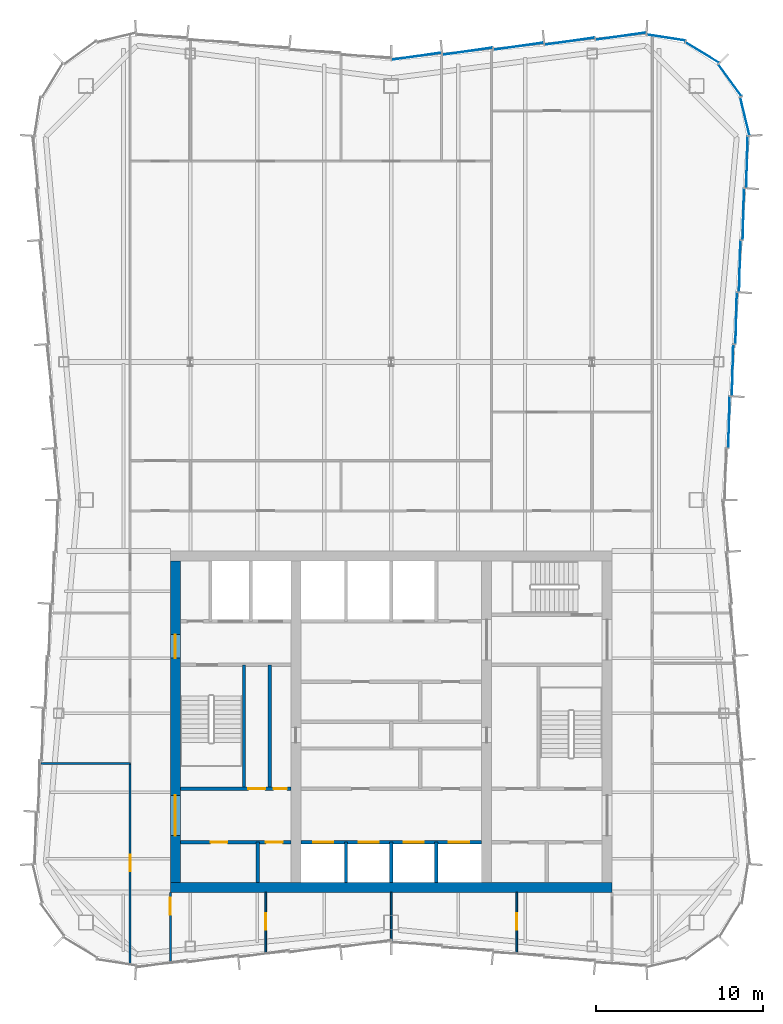
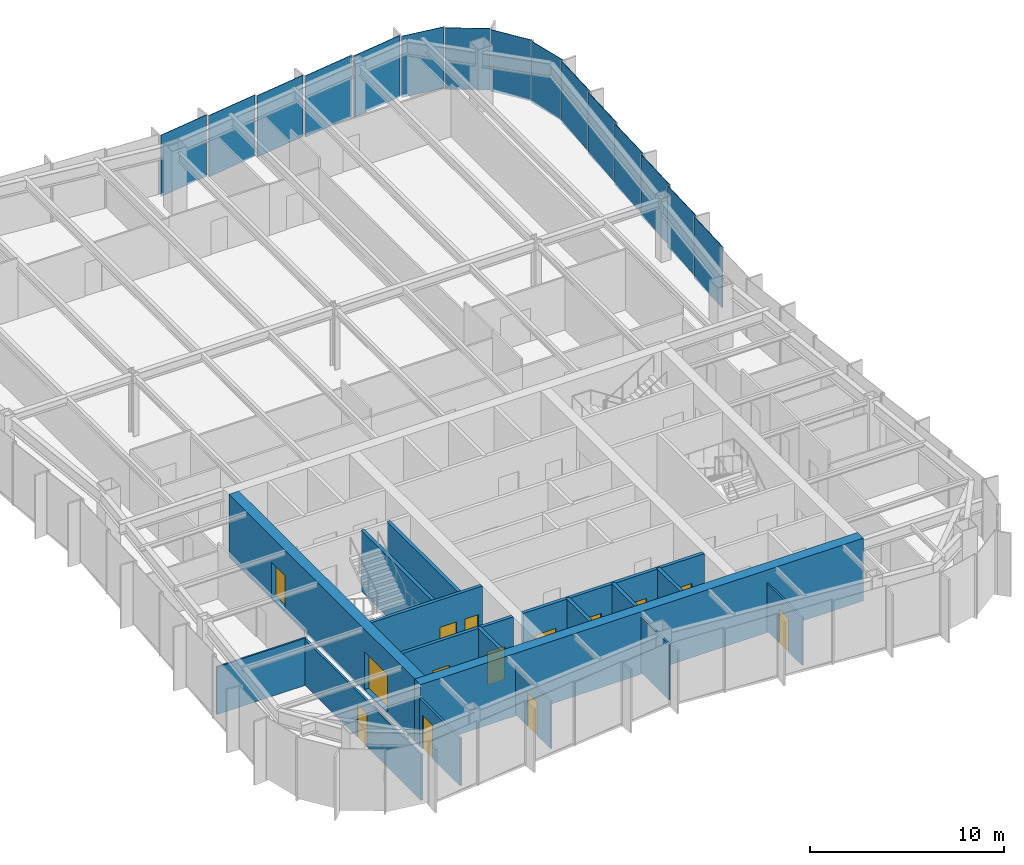
# One storey, part 9 of 13: 17 walls, 15 plates, 14 doors, 14 openings, 3 elements without a shape of their own.
"""IFC4 building model written with IfcOpenShell, lengths in metres."""

from ifc_helpers import new_model, si_unit, direction, frame, frame_2d, origin, origin_2d, place, context, subcontext, project, spatial, rectangle, extrude, material, layer, layer_set, type_object, element, fill, aggregate, save


model = new_model("IFC4")

# Units and contexts
model_context = context("Model", 3, precision=1e-05, world=origin(), true_north=direction((0.0, 1.0)))
body_context = subcontext(model_context, "Body", "Model", "MODEL_VIEW")
ifc_project = project(units=[si_unit("LENGTHUNIT", "METRE"), si_unit("AREAUNIT", "SQUARE_METRE"), si_unit("VOLUMEUNIT", "CUBIC_METRE"), si_unit("PLANEANGLEUNIT", "RADIAN"), si_unit("MASSUNIT", "GRAM", prefix="KILO")], contexts=[model_context])

# Site, building, storey
site_placement = place(None, origin())
site = spatial("IfcSite", under=ifc_project, at=site_placement, CompositionType="ELEMENT")
building_placement = place(site_placement, origin())
building = spatial("IfcBuilding", under=site, at=building_placement, Name="Verdant Reach Tower", CompositionType="ELEMENT")
storey_placement = place(building_placement, frame((0.0, 0.0, 330.0)))
storey = spatial("IfcBuildingStorey", under=building, at=storey_placement, Name="L76", CompositionType="ELEMENT", Elevation=330.0)

# Curtain wall, plate
ifc_material_1 = material(Name="Anodised aluminium", Category="aluminium")
curtain_wall_type = type_object("IfcCurtainWallType", Name="EN-CW SYSTEM Z5", PredefinedType="NOTDEFINED", material=ifc_material_1)
curtain_wall_1_placement = place(storey_placement, origin())
curtain_wall_1 = element("IfcCurtainWall", 1, at=curtain_wall_1_placement, inside=storey, type_object=curtain_wall_type, Name="Curtain wall east, L76", PredefinedType="NOTDEFINED")
ifc_material_2 = material(Name="Tinted glass with champagne spandrel", Category="glass")
ifc_layer_1 = layer(ifc_material_2, 0.031982421875)
ifc_layer_set_1 = layer_set([ifc_layer_1], Name="EN-PANEL CHAMPAGNE")
plate_type_1 = type_object("IfcPlateType", Name="EN-PANEL CHAMPAGNE", PredefinedType="CURTAIN_PANEL", material=ifc_layer_set_1)
plate_1_placement = place(storey_placement, frame((21.257568359375, 61.446044921875, -0.219970703125), z_axis=(0.0, 0.0, 1.0), x_axis=(0.026642881595, 0.999645015423, 0.0)))
plate_1 = element("IfcPlate", 2, at=plate_1_placement, type_object=plate_type_1, Name="Glass panel east face part 2 7.1, L76", PredefinedType="CURTAIN_PANEL", context=body_context, shape_type="SweptSolid", body=[
    extrude(rectangle(XDim=3.063720703125, YDim=0.031982421875, at=origin_2d()), origin(), (0.0, 0.0, 1.0), 3.8701171875),
])

# Curtain wall, plates
curtain_wall_2_placement = place(storey_placement, origin())
curtain_wall_2 = element("IfcCurtainWall", 3, at=curtain_wall_2_placement, inside=storey, type_object=curtain_wall_type, Name="Curtain wall north, L76", PredefinedType="NOTDEFINED")
plate_2_placement = place(storey_placement, frame((4.563720703125, 68.064453125, -0.219970703125), z_axis=(0.0, 0.0, 1.0), x_axis=(-0.990225318365, -0.139476947446, 0.0)))
plate_2 = element("IfcPlate", 4, at=plate_2_placement, type_object=plate_type_1, Name="Glass panel north face part 1 4.1, L76", PredefinedType="CURTAIN_PANEL", context=body_context, shape_type="SweptSolid", body=[
    extrude(rectangle(XDim=2.998779296875, YDim=0.031982421875, at=origin_2d()), origin(), (0.0, 0.0, 1.0), 3.8701171875),
])
plate_3_placement = place(storey_placement, frame((1.519287109375, 67.7646484375, -0.219970703125), z_axis=(0.0, 0.0, 1.0), x_axis=(-0.990200074141, -0.139656053116, 0.0)))
plate_3 = element("IfcPlate", 5, at=plate_3_placement, type_object=plate_type_1, Name="Glass panel north face part 1 5.1, L76", PredefinedType="CURTAIN_PANEL", context=body_context, shape_type="SweptSolid", body=[
    extrude(rectangle(XDim=2.987548828125, YDim=0.031982421875, at=origin_2d()), origin(), (0.0, 0.0, 1.0), 3.8701171875),
])

# Plate
ifc_material_3 = material(Name="Tinted glass with copper spandrel", Category="glass")
ifc_layer_2 = layer(ifc_material_3, 0.031982421875)
ifc_layer_set_2 = layer_set([ifc_layer_2], Name="EN-PANEL COPPER")
plate_type_2 = type_object("IfcPlateType", Name="EN-PANEL COPPER", PredefinedType="CURTAIN_PANEL", material=ifc_layer_set_2)
plate_4_placement = place(storey_placement, frame((20.18603515625, 45.90283203125, -0.219970703125), z_axis=(0.0, 0.0, 1.0), x_axis=(0.026965318308, 0.999636369691, 0.0)))
plate_4 = element("IfcPlate", 6, at=plate_4_placement, type_object=plate_type_2, Name="Glass panel east face part 2 2.1, L76", PredefinedType="CURTAIN_PANEL", context=body_context, shape_type="SweptSolid", body=[
    extrude(rectangle(XDim=3.048583984375, YDim=0.031982421875, at=origin_2d()), origin(), (0.0, 0.0, 1.0), 3.8701171875),
])

plate_5_placement = place(storey_placement, frame((20.400390625, 49.010009765625, -0.219970703125), z_axis=(0.0, 0.0, 1.0), x_axis=(0.026965318308, 0.999636369691, 0.0)))
plate_5 = element("IfcPlate", 7, at=plate_5_placement, type_object=plate_type_2, Name="Glass panel east face part 2 3.1, L76", PredefinedType="CURTAIN_PANEL", context=body_context, shape_type="SweptSolid", body=[
    extrude(rectangle(XDim=3.048583984375, YDim=0.031982421875, at=origin_2d()), origin(), (0.0, 0.0, 1.0), 3.8701171875),
])

plate_6_placement = place(storey_placement, frame((20.61474609375, 52.1171875, -0.219970703125), z_axis=(0.0, 0.0, 1.0), x_axis=(0.026965318308, 0.999636369691, 0.0)))
plate_6 = element("IfcPlate", 8, at=plate_6_placement, type_object=plate_type_2, Name="Glass panel east face part 2 4.1, L76", PredefinedType="CURTAIN_PANEL", context=body_context, shape_type="SweptSolid", body=[
    extrude(rectangle(XDim=3.048583984375, YDim=0.031982421875, at=origin_2d()), origin(), (0.0, 0.0, 1.0), 3.8701171875),
])

# Curtain wall, plates
curtain_wall_3_placement = place(storey_placement, origin())
curtain_wall_3 = element("IfcCurtainWall", 9, at=curtain_wall_3_placement, inside=storey, type_object=curtain_wall_type, Name="Curtain wall north-east corner, L76", PredefinedType="NOTDEFINED")
plate_7_placement = place(storey_placement, frame((21.132080078125, 64.173828125, -0.219970703125), z_axis=(0.0, 0.0, 1.0), x_axis=(-0.236471447122, 0.971638438256, 0.0)))
plate_7 = element("IfcPlate", 10, at=plate_7_placement, type_object=plate_type_2, Name="Glass panel north-east corner 1.1, L76", PredefinedType="CURTAIN_PANEL", context=body_context, shape_type="SweptSolid", body=[
    extrude(rectangle(XDim=2.312744140625, YDim=0.031982421875, at=origin_2d()), origin(), (0.0, 0.0, 1.0), 3.8701171875),
])
plate_8_placement = place(storey_placement, frame((20.23681640625, 66.33203125, -0.219970703125), z_axis=(0.0, 0.0, 1.0), x_axis=(-0.58992672698, 0.807456783236, 0.0)))
plate_8 = element("IfcPlate", 11, at=plate_8_placement, type_object=plate_type_2, Name="Glass panel north-east corner 2.1, L76", PredefinedType="CURTAIN_PANEL", context=body_context, shape_type="SweptSolid", body=[
    extrude(rectangle(XDim=2.320068359375, YDim=0.031982421875, at=origin_2d()), origin(), (0.0, 0.0, 1.0), 3.8701171875),
])

# Plate
ifc_material_4 = material(Name="Tinted glass with dark bronze spandrel", Category="glass")
ifc_layer_3 = layer(ifc_material_4, 0.031982421875)
ifc_layer_set_3 = layer_set([ifc_layer_3], Name="EN-PANEL DARK")
plate_type_3 = type_object("IfcPlateType", Name="EN-PANEL DARK", PredefinedType="CURTAIN_PANEL", material=ifc_layer_set_3)
plate_9_placement = place(storey_placement, frame((20.8291015625, 55.22412109375, -0.219970703125), z_axis=(0.0, 0.0, 1.0), x_axis=(0.026965318308, 0.999636369691, 0.0)))
plate_9 = element("IfcPlate", 12, at=plate_9_placement, type_object=plate_type_3, Name="Glass panel east face part 2 5.1, L76", PredefinedType="CURTAIN_PANEL", context=body_context, shape_type="SweptSolid", body=[
    extrude(rectangle(XDim=3.048583984375, YDim=0.031982421875, at=origin_2d()), origin(), (0.0, 0.0, 1.0), 3.8701171875),
])

plate_10_placement = place(storey_placement, frame((21.043212890625, 58.331298828125, -0.219970703125), z_axis=(0.0, 0.0, 1.0), x_axis=(0.026965318308, 0.999636369691, 0.0)))
plate_10 = element("IfcPlate", 13, at=plate_10_placement, type_object=plate_type_3, Name="Glass panel east face part 2 6.1, L76", PredefinedType="CURTAIN_PANEL", context=body_context, shape_type="SweptSolid", body=[
    extrude(rectangle(XDim=3.048583984375, YDim=0.031982421875, at=origin_2d()), origin(), (0.0, 0.0, 1.0), 3.8701171875),
])

aggregate(curtain_wall_1, [plate_4, plate_5, plate_6, plate_9, plate_10, plate_1])

plate_11_placement = place(storey_placement, frame((18.58203125, 67.98681640625, -0.219970703125), z_axis=(0.0, 0.0, 1.0), x_axis=(-0.853988714885, 0.520291528711, 0.0)))
plate_11 = element("IfcPlate", 14, at=plate_11_placement, type_object=plate_type_3, Name="Glass panel north-east corner 3.1, L76", PredefinedType="CURTAIN_PANEL", context=body_context, shape_type="SweptSolid", body=[
    extrude(rectangle(XDim=2.320068359375, YDim=0.031982421875, at=origin_2d()), origin(), (0.0, 0.0, 1.0), 3.8701171875),
])

plate_12_placement = place(storey_placement, frame((16.4228515625, 68.88232421875, -0.219970703125), z_axis=(0.0, 0.0, 1.0), x_axis=(-0.988033409454, 0.154240013621, 0.0)))
plate_12 = element("IfcPlate", 15, at=plate_12_placement, type_object=plate_type_3, Name="Glass panel north-east corner 4.1, L76", PredefinedType="CURTAIN_PANEL", context=body_context, shape_type="SweptSolid", body=[
    extrude(rectangle(XDim=2.314453125, YDim=0.031982421875, at=origin_2d()), origin(), (0.0, 0.0, 1.0), 3.8701171875),
])

aggregate(curtain_wall_3, [plate_7, plate_8, plate_11, plate_12])

plate_13_placement = place(storey_placement, frame((13.72216796875, 68.964599609375, -0.219970703125), z_axis=(0.0, 0.0, 1.0), x_axis=(-0.990281521639, -0.139077345032, 0.0)))
plate_13 = element("IfcPlate", 16, at=plate_13_placement, type_object=plate_type_3, Name="Glass panel north face part 1 1.1, L76", PredefinedType="CURTAIN_PANEL", context=body_context, shape_type="SweptSolid", body=[
    extrude(rectangle(XDim=3.015625, YDim=0.031982421875, at=origin_2d()), origin(), (0.0, 0.0, 1.0), 3.8701171875),
])

plate_14_placement = place(storey_placement, frame((10.663818359375, 68.66455078125, -0.219970703125), z_axis=(0.0, 0.0, 1.0), x_axis=(-0.990225318365, -0.139476947446, 0.0)))
plate_14 = element("IfcPlate", 17, at=plate_14_placement, type_object=plate_type_3, Name="Glass panel north face part 1 2.1, L76", PredefinedType="CURTAIN_PANEL", context=body_context, shape_type="SweptSolid", body=[
    extrude(rectangle(XDim=2.998779296875, YDim=0.031982421875, at=origin_2d()), origin(), (0.0, 0.0, 1.0), 3.8701171875),
])

plate_15_placement = place(storey_placement, frame((7.61376953125, 68.364501953125, -0.219970703125), z_axis=(0.0, 0.0, 1.0), x_axis=(-0.990225318365, -0.139476947446, 0.0)))
plate_15 = element("IfcPlate", 18, at=plate_15_placement, type_object=plate_type_3, Name="Glass panel north face part 1 3.1, L76", PredefinedType="CURTAIN_PANEL", context=body_context, shape_type="SweptSolid", body=[
    extrude(rectangle(XDim=2.998779296875, YDim=0.031982421875, at=origin_2d()), origin(), (0.0, 0.0, 1.0), 3.8701171875),
])

aggregate(curtain_wall_2, [plate_13, plate_14, plate_15, plate_2, plate_3])

# Wall, openings, doors
ifc_material_5 = material(Name="Gypsum board on steel studs", Category="steel")
ifc_layer_4 = layer(ifc_material_5, 0.199951171875)
ifc_layer_set_4 = layer_set([ifc_layer_4], Name="CO-WALL-ROOM")
wall_type_1 = type_object("IfcWallType", Name="CO-WALL-ROOM", PredefinedType="PARTITIONING", material=ifc_layer_set_4)
wall_1_placement = place(storey_placement, frame((-12.60009765625, 20.800048828125, 0.0), z_axis=(0.0, 0.0, 1.0), x_axis=(1.0, 0.0, 0.0)))
wall_1 = element("IfcWall", 19, at=wall_1_placement, inside=storey, type_object=wall_type_1, Name="Core partition, L76", PredefinedType="PARTITIONING", context=body_context, shape_type="SweptSolid", body=[
    extrude(rectangle(XDim=6.60009765625, YDim=0.199951171875, at=frame_2d((3.300048828125, 0.0))), origin(), (0.0, 0.0, 1.0), 3.820068359375),
])
opening_1_placement = place(wall_1_placement, frame((1.81005859375, 0.0, 0.0)))
opening_1 = element("IfcOpeningElement", 20, at=opening_1_placement, cuts=wall_1, Name="Opening CD", PredefinedType="OPENING", context=body_context, shape_type="SweptSolid", body=[
    extrude(rectangle(XDim=1.0, YDim=2.10009765625, at=frame_2d((0.5, 1.050048828125))), frame((0.0, 0.10986328125, 0.0), z_axis=(0.0, -1.0, 0.0), x_axis=(1.0, 0.0, 0.0)), (0.0, 0.0, 1.0), 0.219970703125),
])
opening_2_placement = place(wall_1_placement, frame((5.110107421875, 0.0, 0.0)))
opening_2 = element("IfcOpeningElement", 21, at=opening_2_placement, cuts=wall_1, Name="Opening CD", PredefinedType="OPENING", context=body_context, shape_type="SweptSolid", body=[
    extrude(rectangle(XDim=1.0, YDim=2.10009765625, at=frame_2d((0.5, 1.050048828125))), frame((0.0, 0.10986328125, 0.0), z_axis=(0.0, -1.0, 0.0), x_axis=(1.0, 0.0, 0.0)), (0.0, 0.0, 1.0), 0.219970703125),
])
ifc_material_6 = material(Name="Timber", Category="wood")
door_type_1 = type_object("IfcDoorType", Name="CO-DOOR-ROOM", OperationType="NOTDEFINED", PredefinedType="DOOR", material=ifc_material_6)
door_1_placement = place(opening_1_placement, origin())
door_1 = element("IfcDoor", 22, at=door_1_placement, inside=storey, type_object=door_type_1, Name="Core room door, L76", OperationType="SINGLE_SWING_LEFT", OverallHeight=2.10009765625, OverallWidth=1.0, PredefinedType="DOOR", context=body_context, shape_type="SweptSolid", body=[
    extrude(rectangle(XDim=1.0, YDim=2.10009765625, at=frame_2d((0.5, 1.050048828125))), frame((0.0, 0.02490234375, 0.0), z_axis=(0.0, -1.0, 0.0), x_axis=(1.0, 0.0, 0.0)), (0.0, 0.0, 1.0), 0.050048828125),
])
fill(opening_1, door_1)
door_2_placement = place(opening_2_placement, origin())
door_2 = element("IfcDoor", 23, at=door_2_placement, inside=storey, type_object=door_type_1, Name="Core room door, L76", OperationType="SINGLE_SWING_LEFT", OverallHeight=2.10009765625, OverallWidth=1.0, PredefinedType="DOOR", context=body_context, shape_type="SweptSolid", body=[
    extrude(rectangle(XDim=1.0, YDim=2.10009765625, at=frame_2d((0.5, 1.050048828125))), frame((0.0, 0.02490234375, 0.0), z_axis=(0.0, -1.0, 0.0), x_axis=(1.0, 0.0, 0.0)), (0.0, 0.0, 1.0), 0.050048828125),
])
fill(opening_2, door_2)

# Walls
wall_2_placement = place(storey_placement, frame((-7.97998046875, 18.39990234375, 0.0), z_axis=(0.0, 0.0, 1.0), x_axis=(0.0, 1.0, 0.0)))
element("IfcWall", 24, at=wall_2_placement, inside=storey, type_object=wall_type_1, Name="Core partition, L76", PredefinedType="PARTITIONING", context=body_context, shape_type="SweptSolid", body=[
    extrude(rectangle(XDim=2.400146484375, YDim=0.199951171875, at=frame_2d((1.2001953125, 0.0))), origin(), (0.0, 0.0, 1.0), 3.820068359375),
])
wall_3_placement = place(storey_placement, frame((-7.260009765625, 24.0, 0.0), z_axis=(0.0, 0.0, 1.0), x_axis=(0.0, 1.0, 0.0)))
element("IfcWall", 25, at=wall_3_placement, inside=storey, type_object=wall_type_1, Name="Core partition, L76", PredefinedType="PARTITIONING", context=body_context, shape_type="SweptSolid", body=[
    extrude(rectangle(XDim=7.39990234375, YDim=0.199951171875, at=frame_2d((3.699951171875, 0.0))), origin(), (0.0, 0.0, 1.0), 3.820068359375),
])

# Wall, openings, doors
ifc_material_7 = material(Name="Concrete C40/50", Category="concrete")
ifc_layer_5 = layer(ifc_material_7, 0.199951171875)
ifc_layer_set_5 = layer_set([ifc_layer_5], Name="CO-WALL-SHAFT")
wall_type_2 = type_object("IfcWallType", Name="CO-WALL-SHAFT", PredefinedType="PARTITIONING", material=ifc_layer_set_5)
wall_4_placement = place(storey_placement, frame((-5.39990234375, 20.800048828125, 0.0), z_axis=(0.0, 0.0, 1.0), x_axis=(1.0, 0.0, 0.0)))
wall_4 = element("IfcWall", 26, at=wall_4_placement, inside=storey, type_object=wall_type_2, Name="Lift shaft wall, L76", PredefinedType="PARTITIONING", context=body_context, shape_type="SweptSolid", body=[
    extrude(rectangle(XDim=10.7998046875, YDim=0.199951171875, at=frame_2d((5.39990234375, 0.0))), origin(), (0.0, 0.0, 1.0), 3.820068359375),
])
opening_3_placement = place(wall_4_placement, frame((0.75, 0.0, 0.0)))
opening_3 = element("IfcOpeningElement", 27, at=opening_3_placement, cuts=wall_4, Name="Opening LD-B1", PredefinedType="OPENING", context=body_context, shape_type="SweptSolid", body=[
    extrude(rectangle(XDim=1.199951171875, YDim=2.199951171875, at=frame_2d((0.60009765625, 1.10009765625))), frame((0.0, 0.10986328125, 0.0), z_axis=(0.0, -1.0, 0.0), x_axis=(1.0, 0.0, 0.0)), (0.0, 0.0, 1.0), 0.219970703125),
])
opening_4_placement = place(wall_4_placement, frame((3.449951171875, 0.0, 0.0)))
opening_4 = element("IfcOpeningElement", 28, at=opening_4_placement, cuts=wall_4, Name="Opening LD-B2", PredefinedType="OPENING", context=body_context, shape_type="SweptSolid", body=[
    extrude(rectangle(XDim=1.199951171875, YDim=2.199951171875, at=frame_2d((0.60009765625, 1.10009765625))), frame((0.0, 0.10986328125, 0.0), z_axis=(0.0, -1.0, 0.0), x_axis=(1.0, 0.0, 0.0)), (0.0, 0.0, 1.0), 0.219970703125),
])
opening_5_placement = place(wall_4_placement, frame((6.14990234375, 0.0, 0.0)))
opening_5 = element("IfcOpeningElement", 29, at=opening_5_placement, cuts=wall_4, Name="Opening LD-B3", PredefinedType="OPENING", context=body_context, shape_type="SweptSolid", body=[
    extrude(rectangle(XDim=1.199951171875, YDim=2.199951171875, at=frame_2d((0.60009765625, 1.10009765625))), frame((0.0, 0.10986328125, 0.0), z_axis=(0.0, -1.0, 0.0), x_axis=(1.0, 0.0, 0.0)), (0.0, 0.0, 1.0), 0.219970703125),
])
opening_6_placement = place(wall_4_placement, frame((8.85009765625, 0.0, 0.0)))
opening_6 = element("IfcOpeningElement", 30, at=opening_6_placement, cuts=wall_4, Name="Opening LD-B4", PredefinedType="OPENING", context=body_context, shape_type="SweptSolid", body=[
    extrude(rectangle(XDim=1.199951171875, YDim=2.199951171875, at=frame_2d((0.60009765625, 1.10009765625))), frame((0.0, 0.10986328125, 0.0), z_axis=(0.0, -1.0, 0.0), x_axis=(1.0, 0.0, 0.0)), (0.0, 0.0, 1.0), 0.219970703125),
])
ifc_material_8 = material(Name="Stainless steel", Category="steel")
door_type_2 = type_object("IfcDoorType", Name="CO-DOOR-LANDING", OperationType="SLIDING_TO_LEFT", PredefinedType="DOOR", material=ifc_material_8)
door_3_placement = place(opening_3_placement, origin())
door_3 = element("IfcDoor", 31, at=door_3_placement, inside=storey, type_object=door_type_2, Name="Landing door B1, L76", OperationType="SLIDING_TO_LEFT", OverallHeight=2.199951171875, OverallWidth=1.199951171875, PredefinedType="DOOR", context=body_context, shape_type="SweptSolid", body=[
    extrude(rectangle(XDim=1.199951171875, YDim=2.199951171875, at=frame_2d((0.60009765625, 1.10009765625))), frame((0.0, 0.02490234375, 0.0), z_axis=(0.0, -1.0, 0.0), x_axis=(1.0, 0.0, 0.0)), (0.0, 0.0, 1.0), 0.050048828125),
])
fill(opening_3, door_3)
door_4_placement = place(opening_4_placement, origin())
door_4 = element("IfcDoor", 32, at=door_4_placement, inside=storey, type_object=door_type_2, Name="Landing door B2, L76", OperationType="SLIDING_TO_LEFT", OverallHeight=2.199951171875, OverallWidth=1.199951171875, PredefinedType="DOOR", context=body_context, shape_type="SweptSolid", body=[
    extrude(rectangle(XDim=1.199951171875, YDim=2.199951171875, at=frame_2d((0.60009765625, 1.10009765625))), frame((0.0, 0.02490234375, 0.0), z_axis=(0.0, -1.0, 0.0), x_axis=(1.0, 0.0, 0.0)), (0.0, 0.0, 1.0), 0.050048828125),
])
fill(opening_4, door_4)
door_5_placement = place(opening_5_placement, origin())
door_5 = element("IfcDoor", 33, at=door_5_placement, inside=storey, type_object=door_type_2, Name="Landing door B3, L76", OperationType="SLIDING_TO_LEFT", OverallHeight=2.199951171875, OverallWidth=1.199951171875, PredefinedType="DOOR", context=body_context, shape_type="SweptSolid", body=[
    extrude(rectangle(XDim=1.199951171875, YDim=2.199951171875, at=frame_2d((0.60009765625, 1.10009765625))), frame((0.0, 0.02490234375, 0.0), z_axis=(0.0, -1.0, 0.0), x_axis=(1.0, 0.0, 0.0)), (0.0, 0.0, 1.0), 0.050048828125),
])
fill(opening_5, door_5)
door_6_placement = place(opening_6_placement, origin())
door_6 = element("IfcDoor", 34, at=door_6_placement, inside=storey, type_object=door_type_2, Name="Landing door B4, L76", OperationType="SLIDING_TO_LEFT", OverallHeight=2.199951171875, OverallWidth=1.199951171875, PredefinedType="DOOR", context=body_context, shape_type="SweptSolid", body=[
    extrude(rectangle(XDim=1.199951171875, YDim=2.199951171875, at=frame_2d((0.60009765625, 1.10009765625))), frame((0.0, 0.02490234375, 0.0), z_axis=(0.0, -1.0, 0.0), x_axis=(1.0, 0.0, 0.0)), (0.0, 0.0, 1.0), 0.050048828125),
])
fill(opening_6, door_6)

# Walls
for number, where, z_axis, x_axis, name in (
    (35, (-2.699951171875, 18.39990234375, 0.0), (0.0, 0.0, 1.0), (0.0, 1.0, 0.0), "Lift shaft wall, L76"),
    (36, (0.0, 18.39990234375, 0.0), (0.0, 0.0, 1.0), (0.0, 1.0, 0.0), "Lift shaft wall, L76"),
    (37, (2.699951171875, 18.39990234375, 0.0), (0.0, 0.0, 1.0), (0.0, 1.0, 0.0), "Lift shaft wall, L76"),
):
    element("IfcWall", number, at=place(storey_placement, frame(where, z_axis=z_axis, x_axis=x_axis)), inside=storey, type_object=wall_type_2, Name=name, PredefinedType="PARTITIONING", context=body_context, shape_type="SweptSolid", body=[
        extrude(rectangle(XDim=2.400146484375, YDim=0.199951171875, at=frame_2d((1.2001953125, 0.0))), origin(), (0.0, 0.0, 1.0), 3.820068359375),
    ])

# Wall, openings, doors
ifc_layer_6 = layer(ifc_material_7, 0.199951171875)
ifc_layer_set_6 = layer_set([ifc_layer_6], Name="CO-WALL-STAIR")
wall_type_3 = type_object("IfcWallType", Name="CO-WALL-STAIR", PredefinedType="PARTITIONING", material=ifc_layer_set_6)
wall_5_placement = place(storey_placement, frame((-12.60009765625, 24.0, 0.0), z_axis=(0.0, 0.0, 1.0), x_axis=(1.0, 0.0, 0.0)))
wall_5 = element("IfcWall", 38, at=wall_5_placement, inside=storey, type_object=wall_type_3, Name="Stair enclosure wall, L76", PredefinedType="PARTITIONING", context=body_context, shape_type="SweptSolid", body=[
    extrude(rectangle(XDim=6.60009765625, YDim=0.199951171875, at=frame_2d((3.300048828125, 0.0))), origin(), (0.0, 0.0, 1.0), 3.820068359375),
])
opening_7_placement = place(wall_5_placement, frame((4.070068359375, 0.0, 0.0)))
opening_7 = element("IfcOpeningElement", 39, at=opening_7_placement, cuts=wall_5, Name="Opening CD", PredefinedType="OPENING", context=body_context, shape_type="SweptSolid", body=[
    extrude(rectangle(XDim=1.0, YDim=2.10009765625, at=frame_2d((0.5, 1.050048828125))), frame((0.0, 0.10986328125, 0.0), z_axis=(0.0, -1.0, 0.0), x_axis=(1.0, 0.0, 0.0)), (0.0, 0.0, 1.0), 0.219970703125),
])
opening_8_placement = place(wall_5_placement, frame((5.570068359375, 0.0, 0.0)))
opening_8 = element("IfcOpeningElement", 40, at=opening_8_placement, cuts=wall_5, Name="Opening CDN", PredefinedType="OPENING", context=body_context, shape_type="SweptSolid", body=[
    extrude(rectangle(XDim=0.800048828125, YDim=2.10009765625, at=frame_2d((0.39990234375, 1.050048828125))), frame((0.0, 0.10986328125, 0.0), z_axis=(0.0, -1.0, 0.0), x_axis=(1.0, 0.0, 0.0)), (0.0, 0.0, 1.0), 0.219970703125),
])
door_7_placement = place(opening_7_placement, origin())
door_7 = element("IfcDoor", 41, at=door_7_placement, inside=storey, type_object=door_type_1, Name="Core room door, L76", OperationType="SINGLE_SWING_RIGHT", OverallHeight=2.10009765625, OverallWidth=1.0, PredefinedType="DOOR", context=body_context, shape_type="SweptSolid", body=[
    extrude(rectangle(XDim=1.0, YDim=2.10009765625, at=frame_2d((0.5, 1.050048828125))), frame((0.0, 0.02490234375, 0.0), z_axis=(0.0, -1.0, 0.0), x_axis=(1.0, 0.0, 0.0)), (0.0, 0.0, 1.0), 0.050048828125),
])
fill(opening_7, door_7)
door_type_3 = type_object("IfcDoorType", Name="CO-DOOR-ROOM-NARROW", OperationType="NOTDEFINED", PredefinedType="DOOR", material=ifc_material_6)
door_8_placement = place(opening_8_placement, origin())
door_8 = element("IfcDoor", 42, at=door_8_placement, inside=storey, type_object=door_type_3, Name="Core room door, L76", OperationType="SINGLE_SWING_LEFT", OverallHeight=2.10009765625, OverallWidth=0.800048828125, PredefinedType="DOOR", context=body_context, shape_type="SweptSolid", body=[
    extrude(rectangle(XDim=0.800048828125, YDim=2.10009765625, at=frame_2d((0.39990234375, 1.050048828125))), frame((0.0, 0.02490234375, 0.0), z_axis=(0.0, -1.0, 0.0), x_axis=(1.0, 0.0, 0.0)), (0.0, 0.0, 1.0), 0.050048828125),
])
fill(opening_8, door_8)

# Walls
wall_6_placement = place(storey_placement, frame((-8.800048828125, 24.0, 0.0), z_axis=(0.0, 0.0, 1.0), x_axis=(0.0, 1.0, 0.0)))
element("IfcWall", 43, at=wall_6_placement, inside=storey, type_object=wall_type_3, Name="Stair enclosure wall, L76", PredefinedType="PARTITIONING", context=body_context, shape_type="SweptSolid", body=[
    extrude(rectangle(XDim=7.39990234375, YDim=0.199951171875, at=frame_2d((3.699951171875, 0.0))), origin(), (0.0, 0.0, 1.0), 3.820068359375),
])
ifc_layer_7 = layer(ifc_material_5, 0.10009765625)
ifc_layer_set_7 = layer_set([ifc_layer_7], Name="FL-W1 Partition 100")
wall_type_4 = type_object("IfcWallType", Name="FL-W1 Partition 100", PredefinedType="PARTITIONING", material=ifc_layer_set_7)
wall_7_placement = place(storey_placement, frame((-15.60009765625, 25.5, 0.0), z_axis=(0.0, 0.0, 1.0), x_axis=(-1.0, 0.0, 0.0)))
element("IfcWall", 44, at=wall_7_placement, inside=storey, type_object=wall_type_4, Name="Partition 76.16", PredefinedType="PARTITIONING", context=body_context, shape_type="SweptSolid", body=[
    extrude(rectangle(XDim=5.316162109375, YDim=0.10009765625, at=frame_2d((2.658203125, 0.0))), origin(), (0.0, 0.0, 1.0), 2.989990234375),
])

# Wall, opening, door
wall_8_placement = place(storey_placement, frame((-7.5, 17.800048828125, 0.0), z_axis=(0.0, 0.0, 1.0), x_axis=(0.0, -1.0, 0.0)))
wall_8 = element("IfcWall", 45, at=wall_8_placement, inside=storey, type_object=wall_type_4, Name="Partition 76.28", PredefinedType="PARTITIONING", context=body_context, shape_type="SweptSolid", body=[
    extrude(rectangle(XDim=3.61767578125, YDim=0.10009765625, at=frame_2d((1.808837890625, 0.0))), origin(), (0.0, 0.0, 1.0), 2.989990234375),
])
opening_9_placement = place(wall_8_placement, frame((1.24365234375, 0.0, 0.0)))
opening_9 = element("IfcOpeningElement", 46, at=opening_9_placement, cuts=wall_8, Name="Opening D3", PredefinedType="OPENING", context=body_context, shape_type="SweptSolid", body=[
    extrude(rectangle(XDim=1.0, YDim=2.10009765625, at=frame_2d((0.5, 1.050048828125))), frame((0.0, 0.06005859375, 0.0), z_axis=(0.0, -1.0, 0.0), x_axis=(1.0, 0.0, 0.0)), (0.0, 0.0, 1.0), 0.1201171875),
])
ifc_material_9 = material(Name="Painted timber door leaf", Category="wood")
door_type_4 = type_object("IfcDoorType", Name="FL-D3 Door 1000x2100", OperationType="NOTDEFINED", PredefinedType="DOOR", material=ifc_material_9)
door_9_placement = place(opening_9_placement, origin())
door_9 = element("IfcDoor", 47, at=door_9_placement, inside=storey, type_object=door_type_4, Name="Door 76-016", OperationType="SINGLE_SWING_LEFT", OverallHeight=2.10009765625, OverallWidth=1.0, PredefinedType="DOOR", context=body_context, shape_type="SweptSolid", body=[
    extrude(rectangle(XDim=1.0, YDim=2.10009765625, at=frame_2d((0.5, 1.050048828125))), frame((0.0, 0.02490234375, 0.0), z_axis=(0.0, -1.0, 0.0), x_axis=(1.0, 0.0, 0.0)), (0.0, 0.0, 1.0), 0.050048828125),
])
fill(opening_9, door_9)

# Wall
wall_9_placement = place(storey_placement, frame((0.0, 14.919921875, 0.0), z_axis=(0.0, 0.0, 1.0), x_axis=(0.0, 1.0, 0.0)))
element("IfcWall", 48, at=wall_9_placement, inside=storey, type_object=wall_type_4, Name="Partition 76.29", PredefinedType="PARTITIONING", context=body_context, shape_type="SweptSolid", body=[
    extrude(rectangle(XDim=2.880126953125, YDim=0.10009765625, at=frame_2d((1.43994140625, 0.0))), origin(), (0.0, 0.0, 1.0), 3.489990234375),
])

# Wall, opening, door
wall_10_placement = place(storey_placement, frame((7.5, 14.182373046875, 0.0), z_axis=(0.0, 0.0, 1.0), x_axis=(0.0, 1.0, 0.0)))
wall_10 = element("IfcWall", 49, at=wall_10_placement, inside=storey, type_object=wall_type_4, Name="Partition 76.30", PredefinedType="PARTITIONING", context=body_context, shape_type="SweptSolid", body=[
    extrude(rectangle(XDim=3.61767578125, YDim=0.10009765625, at=frame_2d((1.808837890625, 0.0))), origin(), (0.0, 0.0, 1.0), 2.989990234375),
])
opening_10_placement = place(wall_10_placement, frame((1.3740234375, 0.0, 0.0)))
opening_10 = element("IfcOpeningElement", 50, at=opening_10_placement, cuts=wall_10, Name="Opening D3", PredefinedType="OPENING", context=body_context, shape_type="SweptSolid", body=[
    extrude(rectangle(XDim=1.0, YDim=2.10009765625, at=frame_2d((0.5, 1.050048828125))), frame((0.0, 0.06005859375, 0.0), z_axis=(0.0, -1.0, 0.0), x_axis=(1.0, 0.0, 0.0)), (0.0, 0.0, 1.0), 0.1201171875),
])
door_10_placement = place(opening_10_placement, origin())
door_10 = element("IfcDoor", 51, at=door_10_placement, inside=storey, type_object=door_type_4, Name="Door 76-017", OperationType="SINGLE_SWING_RIGHT", OverallHeight=2.10009765625, OverallWidth=1.0, PredefinedType="DOOR", context=body_context, shape_type="SweptSolid", body=[
    extrude(rectangle(XDim=1.0, YDim=2.10009765625, at=frame_2d((0.5, 1.050048828125))), frame((0.0, 0.02490234375, 0.0), z_axis=(0.0, -1.0, 0.0), x_axis=(1.0, 0.0, 0.0)), (0.0, 0.0, 1.0), 0.050048828125),
])
fill(opening_10, door_10)

ifc_material_10 = material(Name="Gypsum board on steel studs, fire rated", Category="steel")
ifc_layer_8 = layer(ifc_material_10, 0.125)
ifc_layer_set_8 = layer_set([ifc_layer_8], Name="FL-W2 Corridor wall 125")
wall_type_5 = type_object("IfcWallType", Name="FL-W2 Corridor wall 125", PredefinedType="PARTITIONING", material=ifc_layer_set_8)
wall_11_placement = place(storey_placement, frame((-15.60009765625, 13.489501953125, 0.0), z_axis=(0.0, 0.0, 1.0), x_axis=(0.0, 1.0, 0.0)))
wall_11 = element("IfcWall", 52, at=wall_11_placement, inside=storey, type_object=wall_type_5, Name="Partition 76.01", PredefinedType="PARTITIONING", context=body_context, shape_type="SweptSolid", body=[
    extrude(rectangle(XDim=12.010498046875, YDim=0.125, at=frame_2d((6.00537109375, 0.0))), origin(), (0.0, 0.0, 1.0), 2.8798828125),
])
opening_11_placement = place(wall_11_placement, frame((5.57080078125, 0.0, 0.0)))
opening_11 = element("IfcOpeningElement", 53, at=opening_11_placement, cuts=wall_11, Name="Opening D2", PredefinedType="OPENING", context=body_context, shape_type="SweptSolid", body=[
    extrude(rectangle(XDim=1.0, YDim=2.10009765625, at=frame_2d((0.5, 1.050048828125))), frame((0.0, 0.072509765625, 0.0), z_axis=(0.0, -1.0, 0.0), x_axis=(1.0, 0.0, 0.0)), (0.0, 0.0, 1.0), 0.14501953125),
])
ifc_material_11 = material(Name="Timber door leaf, fire rated", Category="wood")
door_type_5 = type_object("IfcDoorType", Name="FL-D2 Entrance door 1000x2100 FD30", OperationType="NOTDEFINED", PredefinedType="DOOR", material=ifc_material_11)
door_11_placement = place(opening_11_placement, origin())
door_11 = element("IfcDoor", 54, at=door_11_placement, inside=storey, type_object=door_type_5, Name="Door 76-001", OperationType="SINGLE_SWING_RIGHT", OverallHeight=2.10009765625, OverallWidth=1.0, PredefinedType="DOOR", context=body_context, shape_type="SweptSolid", body=[
    extrude(rectangle(XDim=1.0, YDim=2.10009765625, at=frame_2d((0.5, 1.050048828125))), frame((0.0, 0.02490234375, 0.0), z_axis=(0.0, -1.0, 0.0), x_axis=(1.0, 0.0, 0.0)), (0.0, 0.0, 1.0), 0.050048828125),
])
fill(opening_11, door_11)

wall_12_placement = place(storey_placement, frame((-13.199951171875, 17.800048828125, 0.0), z_axis=(0.0, 0.0, 1.0), x_axis=(0.0, -1.0, 0.0)))
wall_12 = element("IfcWall", 55, at=wall_12_placement, inside=storey, type_object=wall_type_5, Name="Partition 76.09", PredefinedType="PARTITIONING", context=body_context, shape_type="SweptSolid", body=[
    extrude(rectangle(XDim=4.178466796875, YDim=0.125, at=frame_2d((2.08935546875, 0.0))), origin(), (0.0, 0.0, 1.0), 2.989990234375),
])
opening_12_placement = place(wall_12_placement, frame((0.32421875, 0.0, 0.0)))
opening_12 = element("IfcOpeningElement", 56, at=opening_12_placement, cuts=wall_12, Name="Opening D2", PredefinedType="OPENING", context=body_context, shape_type="SweptSolid", body=[
    extrude(rectangle(XDim=1.0, YDim=2.10009765625, at=frame_2d((0.5, 1.050048828125))), frame((0.0, 0.072509765625, 0.0), z_axis=(0.0, -1.0, 0.0), x_axis=(1.0, 0.0, 0.0)), (0.0, 0.0, 1.0), 0.14501953125),
])
door_12_placement = place(opening_12_placement, origin())
door_12 = element("IfcDoor", 57, at=door_12_placement, inside=storey, type_object=door_type_5, Name="Door 76-009", OperationType="SINGLE_SWING_LEFT", OverallHeight=2.10009765625, OverallWidth=1.0, PredefinedType="DOOR", context=body_context, shape_type="SweptSolid", body=[
    extrude(rectangle(XDim=1.0, YDim=2.10009765625, at=frame_2d((0.5, 1.050048828125))), frame((0.0, 0.02490234375, 0.0), z_axis=(0.0, -1.0, 0.0), x_axis=(1.0, 0.0, 0.0)), (0.0, 0.0, 1.0), 0.050048828125),
])
fill(opening_12, door_12)

# Wall
ifc_material_12 = material(Name="Concrete C70/85", Category="concrete")
ifc_layer_9 = layer(ifc_material_12, 0.60009765625)
ifc_layer_set_9 = layer_set([ifc_layer_9], Name="ST-CORE-WALL-600")
wall_type_6 = type_object("IfcWallType", Name="ST-CORE-WALL-600", PredefinedType="SHEAR", material=ifc_layer_set_9)
wall_13_placement = place(storey_placement, frame((-13.199951171875, 18.10009765625, -0.1298828125), z_axis=(0.0, 0.0, 1.0), x_axis=(1.0, 0.0, 0.0)))
element("IfcWall", 58, at=wall_13_placement, inside=storey, type_object=wall_type_6, Name="Core wall S, L76", PredefinedType="SHEAR", context=body_context, shape_type="SweptSolid", body=[
    extrude(rectangle(XDim=26.39990234375, YDim=0.60009765625, at=frame_2d((13.199951171875, 0.0))), origin(), (0.0, 0.0, 1.0), 3.949951171875),
])

# Wall, openings, doors
wall_14_placement = place(storey_placement, frame((-12.89990234375, 18.39990234375, -0.1298828125), z_axis=(0.0, 0.0, 1.0), x_axis=(0.0, 1.0, 0.0)))
wall_14 = element("IfcWall", 59, at=wall_14_placement, inside=storey, type_object=wall_type_6, Name="Core wall W, L76", PredefinedType="SHEAR", context=body_context, shape_type="SweptSolid", body=[
    extrude(rectangle(XDim=19.2001953125, YDim=0.60009765625, at=frame_2d((9.60009765625, 0.0))), origin(), (0.0, 0.0, 1.0), 3.949951171875),
])
opening_13_placement = place(wall_14_placement, frame((2.800048828125, 0.0, 0.1298828125)))
opening_13 = element("IfcOpeningElement", 60, at=opening_13_placement, cuts=wall_14, Name="Opening LB", PredefinedType="OPENING", context=body_context, shape_type="SweptSolid", body=[
    extrude(rectangle(XDim=2.39990234375, YDim=2.39990234375, at=frame_2d((1.199951171875, 1.199951171875))), frame((0.0, 0.31005859375, 0.0), z_axis=(0.0, -1.0, 0.0), x_axis=(1.0, 0.0, 0.0)), (0.0, 0.0, 1.0), 0.6201171875),
])
opening_14_placement = place(wall_14_placement, frame((13.39990234375, 0.0, 0.1298828125)))
opening_14 = element("IfcOpeningElement", 61, at=opening_14_placement, cuts=wall_14, Name="Opening FL", PredefinedType="OPENING", context=body_context, shape_type="SweptSolid", body=[
    extrude(rectangle(XDim=1.39990234375, YDim=2.199951171875, at=frame_2d((0.699951171875, 1.10009765625))), frame((0.0, 0.31005859375, 0.0), z_axis=(0.0, -1.0, 0.0), x_axis=(1.0, 0.0, 0.0)), (0.0, 0.0, 1.0), 0.6201171875),
])
ifc_material_13 = material(Name="Steel", Category="steel")
door_type_6 = type_object("IfcDoorType", Name="CO-DOOR-FFL", OperationType="NOTDEFINED", PredefinedType="DOOR", material=ifc_material_13)
door_13_placement = place(opening_14_placement, origin())
door_13 = element("IfcDoor", 62, at=door_13_placement, inside=storey, type_object=door_type_6, Name="Core entrance door, L76", OperationType="SINGLE_SWING_RIGHT", OverallHeight=2.199951171875, OverallWidth=1.39990234375, PredefinedType="DOOR", context=body_context, shape_type="SweptSolid", body=[
    extrude(rectangle(XDim=1.39990234375, YDim=2.199951171875, at=frame_2d((0.699951171875, 1.10009765625))), frame((0.0, 0.02490234375, 0.0), z_axis=(0.0, -1.0, 0.0), x_axis=(1.0, 0.0, 0.0)), (0.0, 0.0, 1.0), 0.050048828125),
])
fill(opening_14, door_13)
ifc_material_14 = material(Name="Glass and steel", Category="steel")
door_type_7 = type_object("IfcDoorType", Name="CO-DOOR-LOBBY", OperationType="DOUBLE_DOOR_SINGLE_SWING", PredefinedType="DOOR", material=ifc_material_14)
door_14_placement = place(opening_13_placement, origin())
door_14 = element("IfcDoor", 63, at=door_14_placement, inside=storey, type_object=door_type_7, Name="Core entrance door, L76", OperationType="DOUBLE_DOOR_SINGLE_SWING", OverallHeight=2.39990234375, OverallWidth=2.39990234375, PredefinedType="DOOR", context=body_context, shape_type="SweptSolid", body=[
    extrude(rectangle(XDim=2.39990234375, YDim=2.39990234375, at=frame_2d((1.199951171875, 1.199951171875))), frame((0.0, 0.02490234375, 0.0), z_axis=(0.0, -1.0, 0.0), x_axis=(1.0, 0.0, 0.0)), (0.0, 0.0, 1.0), 0.050048828125),
])
fill(opening_13, door_14)

save(model, "model.ifc")
